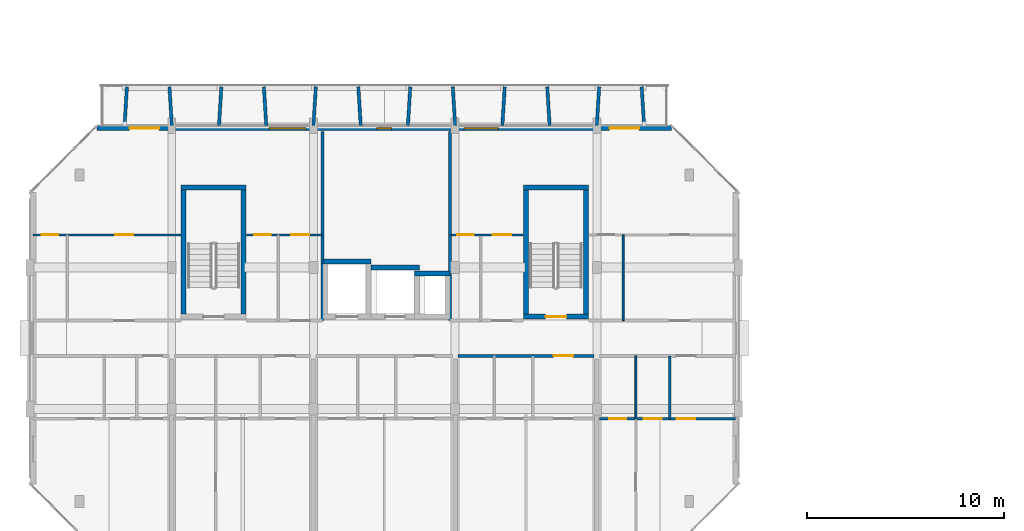
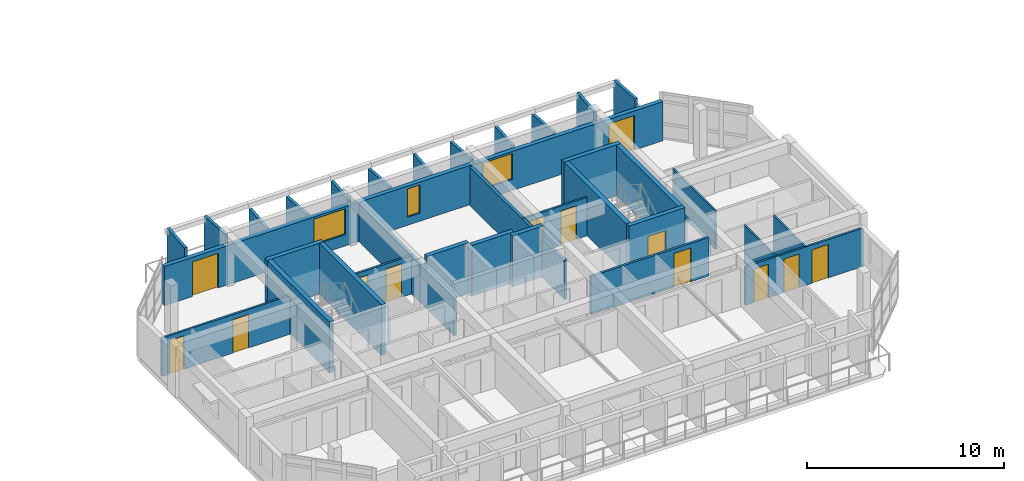
# One storey, part 17 of 44: 33 walls, 13 doors, 3 windows, 16 openings.
"""IFC4 building model written with IfcOpenShell, lengths in metres."""

from ifc_helpers import new_model, si_unit, direction, frame, frame_2d, origin, place, context, subcontext, project, spatial, rectangle, extrude, material, layer, layer_set, type_object, element, fill, save


model = new_model("IFC4")

# Units and contexts
model_context = context("Model", 3, precision=1e-05, world=origin(), true_north=direction((0.0, 1.0)))
body_context = subcontext(model_context, "Body", "Model", "MODEL_VIEW")
ifc_project = project(units=[si_unit("LENGTHUNIT", "METRE"), si_unit("AREAUNIT", "SQUARE_METRE"), si_unit("VOLUMEUNIT", "CUBIC_METRE"), si_unit("PLANEANGLEUNIT", "RADIAN"), si_unit("MASSUNIT", "GRAM", prefix="KILO")], contexts=[model_context])

# Site, building, storey
site_placement = place(None, origin())
site = spatial("IfcSite", under=ifc_project, at=site_placement, CompositionType="ELEMENT")
building_placement = place(site_placement, origin())
building = spatial("IfcBuilding", under=site, at=building_placement, Name="Ochrevale Crest", CompositionType="ELEMENT")
storey_placement = place(building_placement, frame((0.0, 0.0, 21.300048828125)))
storey = spatial("IfcBuildingStorey", under=building, at=storey_placement, Name="L06", CompositionType="ELEMENT", Elevation=21.300048828125)

# Wall, opening, door
ifc_material_1 = material(Name="Gypsum plasterboard", Category="gypsum")
ifc_layer_1 = layer(ifc_material_1, 0.139892578125)
ifc_layer_set_1 = layer_set([ifc_layer_1], Name="Gypsum plasterboard")
wall_type_1 = type_object("IfcWallType", Name="WL-COR-140", PredefinedType="PARTITIONING", material=ifc_layer_set_1)
wall_1_placement = place(storey_placement, frame((21.739990234375, 24.300048828125, 0.0), z_axis=(0.0, 0.0, 1.0), x_axis=(1.0, 0.0, 0.0)))
wall_1 = element("IfcWall", 1, at=wall_1_placement, inside=storey, type_object=wall_type_1, Name="Apartment A-L06-U4 corridor wall", PredefinedType="PARTITIONING", context=body_context, shape_type="SweptSolid", body=[
    extrude(rectangle(XDim=6.919921875, YDim=0.139892578125, at=frame_2d((3.4599609375, 0.0))), origin(), (0.0, 0.0, 1.0), 2.3798828125),
])
opening_1_placement = place(wall_1_placement, frame((5.85009765625, 0.0, 0.0), z_axis=(0.0, 0.0, 1.0), x_axis=(-1.0, 0.0, 0.0)))
opening_1 = element("IfcOpeningElement", 2, at=opening_1_placement, cuts=wall_1, Name="Opening FD01", PredefinedType="OPENING", context=body_context, shape_type="SweptSolid", body=[
    extrude(rectangle(XDim=0.97998046875, YDim=2.10009765625, at=frame_2d((0.489990234375, 1.050048828125))), frame((0.0, 0.080078125, 0.0), z_axis=(0.0, -1.0, 0.0), x_axis=(1.0, 0.0, 0.0)), (0.0, 0.0, 1.0), 0.159912109375),
])
ifc_material_2 = material(Name="Solid-core FSC hardwood", Category="wood")
door_type_1 = type_object("IfcDoorType", Name="DR-APT-950", OperationType="NOTDEFINED", PredefinedType="DOOR", material=ifc_material_2)
door_1_placement = place(opening_1_placement, origin())
door_1 = element("IfcDoor", 3, at=door_1_placement, inside=storey, type_object=door_type_1, Name="Apartment A-L06-U4 entrance door", OperationType="SINGLE_SWING_RIGHT", OverallHeight=2.10009765625, OverallWidth=0.97998046875, PredefinedType="DOOR", context=body_context, shape_type="SweptSolid", body=[
    extrude(rectangle(XDim=0.97998046875, YDim=2.10009765625, at=frame_2d((0.489990234375, 1.050048828125))), frame((0.0, 0.02490234375, 0.0), z_axis=(0.0, -1.0, 0.0), x_axis=(1.0, 0.0, 0.0)), (0.0, 0.0, 1.0), 0.050048828125),
])
fill(opening_1, door_1)

# Walls
ifc_material_3 = material(Name="Precast concrete C50/60", Category="concrete")
ifc_layer_2 = layer(ifc_material_3, 0.2548828125)
ifc_layer_set_2 = layer_set([ifc_layer_2], Name="Precast concrete C50/60")
wall_type_2 = type_object("IfcWallType", Name="WL-CORE-255", PredefinedType="SHEAR", material=ifc_layer_set_2)
wall_2_placement = place(storey_placement, frame((7.672607421875, 32.85009765625, 0.0), z_axis=(0.0, 0.0, 1.0), x_axis=(1.0, 0.0, 0.0)))
element("IfcWall", 4, at=wall_2_placement, inside=storey, type_object=wall_type_2, Name="Block A L06 Stair 1 precast core shear wall N", PredefinedType="SHEAR", context=body_context, shape_type="SweptSolid", body=[
    extrude(rectangle(XDim=3.304931640625, YDim=0.2548828125, at=frame_2d((1.65234375, 0.0))), origin(), (0.0, 0.0, 1.0), 3.14990234375),
])
for number, where, z_axis, x_axis, name in (
    (5, (7.800048828125, 26.427490234375, 0.0), (0.0, 0.0, 1.0), (0.0, 1.0, 0.0), "Block A L06 Stair 1 precast core shear wall W"),
    (6, (10.85009765625, 26.427490234375, 0.0), (0.0, 0.0, 1.0), (0.0, 1.0, 0.0), "Block A L06 Stair 1 precast core shear wall E"),
):
    element("IfcWall", number, at=place(storey_placement, frame(where, z_axis=z_axis, x_axis=x_axis)), inside=storey, type_object=wall_type_2, Name=name, PredefinedType="SHEAR", context=body_context, shape_type="SweptSolid", body=[
        extrude(rectangle(XDim=6.294921875, YDim=0.2548828125, at=frame_2d((3.1474609375, 0.0))), origin(), (0.0, 0.0, 1.0), 3.14990234375),
    ])

# Wall, opening, door
wall_3_placement = place(storey_placement, frame((25.072509765625, 26.300048828125, 0.0), z_axis=(0.0, 0.0, 1.0), x_axis=(1.0, 0.0, 0.0)))
wall_3 = element("IfcWall", 7, at=wall_3_placement, inside=storey, type_object=wall_type_2, Name="Block A L06 Stair 2 precast core shear wall S", PredefinedType="SHEAR", context=body_context, shape_type="SweptSolid", body=[
    extrude(rectangle(XDim=3.304931640625, YDim=0.2548828125, at=frame_2d((1.65234375, 0.0))), origin(), (0.0, 0.0, 1.0), 3.14990234375),
])
opening_2_placement = place(wall_3_placement, frame((1.12744140625, 0.0, 0.0)))
opening_2 = element("IfcOpeningElement", 8, at=opening_2_placement, cuts=wall_3, Name="Opening FD03", PredefinedType="OPENING", context=body_context, shape_type="SweptSolid", body=[
    extrude(rectangle(XDim=1.050048828125, YDim=2.1201171875, at=frame_2d((0.52490234375, 1.06005859375))), frame((0.0, 0.137451171875, 0.0), z_axis=(0.0, -1.0, 0.0), x_axis=(1.0, 0.0, 0.0)), (0.0, 0.0, 1.0), 0.27490234375),
])
door_type_2 = type_object("IfcDoorType", Name="DR-ST-1050", OperationType="NOTDEFINED", PredefinedType="DOOR", material=ifc_material_2)
door_2_placement = place(opening_2_placement, origin())
door_2 = element("IfcDoor", 9, at=door_2_placement, inside=storey, type_object=door_type_2, Name="Block A L06 fire stair 2 door", OperationType="SINGLE_SWING_LEFT", OverallHeight=2.1201171875, OverallWidth=1.050048828125, PredefinedType="DOOR", context=body_context, shape_type="SweptSolid", body=[
    extrude(rectangle(XDim=1.050048828125, YDim=2.1201171875, at=frame_2d((0.52490234375, 1.06005859375))), frame((0.0, 0.02490234375, 0.0), z_axis=(0.0, -1.0, 0.0), x_axis=(1.0, 0.0, 0.0)), (0.0, 0.0, 1.0), 0.050048828125),
])
fill(opening_2, door_2)

# Walls
wall_4_placement = place(storey_placement, frame((25.072509765625, 32.85009765625, 0.0), z_axis=(0.0, 0.0, 1.0), x_axis=(1.0, 0.0, 0.0)))
element("IfcWall", 10, at=wall_4_placement, inside=storey, type_object=wall_type_2, Name="Block A L06 Stair 2 precast core shear wall N", PredefinedType="SHEAR", context=body_context, shape_type="SweptSolid", body=[
    extrude(rectangle(XDim=3.304931640625, YDim=0.2548828125, at=frame_2d((1.65234375, 0.0))), origin(), (0.0, 0.0, 1.0), 3.14990234375),
])
for number, where, z_axis, x_axis, name in (
    (11, (25.199951171875, 26.427490234375, 0.0), (0.0, 0.0, 1.0), (0.0, 1.0, 0.0), "Block A L06 Stair 2 precast core shear wall W"),
    (12, (28.25, 26.427490234375, 0.0), (0.0, 0.0, 1.0), (0.0, 1.0, 0.0), "Block A L06 Stair 2 precast core shear wall E"),
):
    element("IfcWall", number, at=place(storey_placement, frame(where, z_axis=z_axis, x_axis=x_axis)), inside=storey, type_object=wall_type_2, Name=name, PredefinedType="SHEAR", context=body_context, shape_type="SweptSolid", body=[
        extrude(rectangle(XDim=6.294921875, YDim=0.2548828125, at=frame_2d((3.1474609375, 0.0))), origin(), (0.0, 0.0, 1.0), 3.14990234375),
    ])
wall_5_placement = place(storey_placement, frame((14.87255859375, 29.10009765625, 0.0), z_axis=(0.0, 0.0, 1.0), x_axis=(1.0, 0.0, 0.0)))
element("IfcWall", 13, at=wall_5_placement, inside=storey, type_object=wall_type_2, Name="Block A L06 Lift 1 precast shaft shear wall N", PredefinedType="SHEAR", context=body_context, shape_type="SweptSolid", body=[
    extrude(rectangle(XDim=2.454833984375, YDim=0.2548828125, at=frame_2d((1.2275390625, 0.0))), origin(), (0.0, 0.0, 1.0), 3.14990234375),
])
wall_6_placement = place(storey_placement, frame((17.322509765625, 28.800048828125, 0.0), z_axis=(0.0, 0.0, 1.0), x_axis=(1.0, 0.0, 0.0)))
element("IfcWall", 14, at=wall_6_placement, inside=storey, type_object=wall_type_2, Name="Block A L06 Lift 2 precast shaft shear wall N", PredefinedType="SHEAR", context=body_context, shape_type="SweptSolid", body=[
    extrude(rectangle(XDim=2.455078125, YDim=0.2548828125, at=frame_2d((1.2275390625, 0.0))), origin(), (0.0, 0.0, 1.0), 3.14990234375),
])
wall_7_placement = place(storey_placement, frame((19.5224609375, 28.5, 0.0), z_axis=(0.0, 0.0, 1.0), x_axis=(1.0, 0.0, 0.0)))
element("IfcWall", 15, at=wall_7_placement, inside=storey, type_object=wall_type_2, Name="Block A L06 services riser shaft core wall N", PredefinedType="SHEAR", context=body_context, shape_type="SweptSolid", body=[
    extrude(rectangle(XDim=1.804931640625, YDim=0.2548828125, at=frame_2d((0.90234375, 0.0))), origin(), (0.0, 0.0, 1.0), 3.14990234375),
])

# Wall, openings, doors, windows
ifc_material_4 = material(Name="Precast concrete C40/50", Category="concrete")
ifc_layer_3 = layer(ifc_material_4, 0.25)
ifc_layer_set_3 = layer_set([ifc_layer_3], Name="Precast concrete C40/50")
wall_type_3 = type_object("IfcWallType", Name="WL-EXT-GOLD-250", PredefinedType="SOLIDWALL", material=ifc_layer_set_3)
wall_8_placement = place(storey_placement, frame((32.60009765625, 35.875, 0.0), z_axis=(0.0, 0.0, 1.0), x_axis=(-1.0, 0.0, 0.0)))
wall_8 = element("IfcWall", 16, at=wall_8_placement, inside=storey, type_object=wall_type_3, Name="Block A L06 external facade wall E5", PredefinedType="SOLIDWALL", context=body_context, shape_type="SweptSolid", body=[
    extrude(rectangle(XDim=29.2001953125, YDim=0.25, at=frame_2d((14.60009765625, 0.0))), origin(), (0.0, 0.0, 1.0), 2.429931640625),
])
opening_3_placement = place(wall_8_placement, frame((27.550048828125, 0.0, 0.0), z_axis=(0.0, 0.0, 1.0), x_axis=(-1.0, 0.0, 0.0)))
opening_3 = element("IfcOpeningElement", 17, at=opening_3_placement, cuts=wall_8, Name="Opening BD01", PredefinedType="OPENING", context=body_context, shape_type="SweptSolid", body=[
    extrude(rectangle(XDim=1.5, YDim=2.14990234375, at=frame_2d((0.75, 1.074951171875))), frame((0.0, 0.135009765625, 0.0), z_axis=(0.0, -1.0, 0.0), x_axis=(1.0, 0.0, 0.0)), (0.0, 0.0, 1.0), 0.27001953125),
])
opening_4_placement = place(wall_8_placement, frame((3.14990234375, 0.0, 0.0), z_axis=(0.0, 0.0, 1.0), x_axis=(-1.0, 0.0, 0.0)))
opening_4 = element("IfcOpeningElement", 18, at=opening_4_placement, cuts=wall_8, Name="Opening BD01", PredefinedType="OPENING", context=body_context, shape_type="SweptSolid", body=[
    extrude(rectangle(XDim=1.5, YDim=2.14990234375, at=frame_2d((0.75, 1.074951171875))), frame((0.0, 0.135009765625, 0.0), z_axis=(0.0, -1.0, 0.0), x_axis=(1.0, 0.0, 0.0)), (0.0, 0.0, 1.0), 0.27001953125),
])
opening_5_placement = place(wall_8_placement, frame((14.22509765625, 0.0, 0.5)))
opening_5 = element("IfcOpeningElement", 19, at=opening_5_placement, cuts=wall_8, Name="Opening W16", PredefinedType="OPENING", context=body_context, shape_type="SweptSolid", body=[
    extrude(rectangle(XDim=0.75, YDim=1.75, at=frame_2d((0.375, 0.875))), frame((0.0, 0.135009765625, 0.0), z_axis=(0.0, -1.0, 0.0), x_axis=(1.0, 0.0, 0.0)), (0.0, 0.0, 1.0), 0.27001953125),
])
opening_6_placement = place(wall_8_placement, frame((8.820068359375, 0.0, 0.699951171875)))
opening_6 = element("IfcOpeningElement", 20, at=opening_6_placement, cuts=wall_8, Name="Opening W10", PredefinedType="OPENING", context=body_context, shape_type="SweptSolid", body=[
    extrude(rectangle(XDim=1.719970703125, YDim=1.60009765625, at=frame_2d((0.85986328125, 0.800048828125))), frame((0.0, 0.135009765625, 0.0), z_axis=(0.0, -1.0, 0.0), x_axis=(1.0, 0.0, 0.0)), (0.0, 0.0, 1.0), 0.27001953125),
])
opening_7_placement = place(wall_8_placement, frame((18.590087890625, 0.0, 0.699951171875)))
opening_7 = element("IfcOpeningElement", 21, at=opening_7_placement, cuts=wall_8, Name="Opening W11", PredefinedType="OPENING", context=body_context, shape_type="SweptSolid", body=[
    extrude(rectangle(XDim=1.860107421875, YDim=1.60009765625, at=frame_2d((0.93017578125, 0.800048828125))), frame((0.0, 0.135009765625, 0.0), z_axis=(0.0, -1.0, 0.0), x_axis=(1.0, 0.0, 0.0)), (0.0, 0.0, 1.0), 0.27001953125),
])
ifc_material_5 = material(Name="Anodised aluminium 6063-T5 and toughened glass", Category="aluminium")
door_type_3 = type_object("IfcDoorType", Name="DR-BAL-1500", OperationType="NOTDEFINED", PredefinedType="DOOR", material=ifc_material_5)
door_3_placement = place(opening_3_placement, origin())
door_3 = element("IfcDoor", 22, at=door_3_placement, inside=storey, type_object=door_type_3, Name="Block A L06 balcony door N1", OperationType="SINGLE_SWING_LEFT", OverallHeight=2.14990234375, OverallWidth=1.5, PredefinedType="DOOR", context=body_context, shape_type="SweptSolid", body=[
    extrude(rectangle(XDim=1.5, YDim=2.14990234375, at=frame_2d((0.75, 1.074951171875))), frame((0.0, 0.02490234375, 0.0), z_axis=(0.0, -1.0, 0.0), x_axis=(1.0, 0.0, 0.0)), (0.0, 0.0, 1.0), 0.050048828125),
])
fill(opening_3, door_3)
door_4_placement = place(opening_4_placement, origin())
door_4 = element("IfcDoor", 23, at=door_4_placement, inside=storey, type_object=door_type_3, Name="Block A L06 balcony door N5", OperationType="SINGLE_SWING_RIGHT", OverallHeight=2.14990234375, OverallWidth=1.5, PredefinedType="DOOR", context=body_context, shape_type="SweptSolid", body=[
    extrude(rectangle(XDim=1.5, YDim=2.14990234375, at=frame_2d((0.75, 1.074951171875))), frame((0.0, 0.02490234375, 0.0), z_axis=(0.0, -1.0, 0.0), x_axis=(1.0, 0.0, 0.0)), (0.0, 0.0, 1.0), 0.050048828125),
])
fill(opening_4, door_4)
ifc_material_6 = material(Name="Anodised aluminium 6063-T5 and low-E double glazing", Category="aluminium")
window_type_1 = type_object("IfcWindowType", Name="WIN-W10", PartitioningType="SINGLE_PANEL", PredefinedType="WINDOW", material=ifc_material_6)
window_1_placement = place(opening_6_placement, origin())
window_1 = element("IfcWindow", 24, at=window_1_placement, inside=storey, type_object=window_type_1, Name="Block A L06 Suite A-L06-ME Garden Alcove Studio window", OverallHeight=1.60009765625, OverallWidth=1.719970703125, PartitioningType="SINGLE_PANEL", PredefinedType="WINDOW", context=body_context, shape_type="SweptSolid", body=[
    extrude(rectangle(XDim=1.719970703125, YDim=1.60009765625, at=frame_2d((0.85986328125, 0.800048828125))), frame((0.0, 0.030029296875, 0.0), z_axis=(0.0, -1.0, 0.0), x_axis=(1.0, 0.0, 0.0)), (0.0, 0.0, 1.0), 0.06005859375),
])
fill(opening_6, window_1)
window_type_2 = type_object("IfcWindowType", Name="WIN-W11", PartitioningType="SINGLE_PANEL", PredefinedType="WINDOW", material=ifc_material_6)
window_2_placement = place(opening_7_placement, origin())
window_2 = element("IfcWindow", 25, at=window_2_placement, inside=storey, type_object=window_type_2, Name="Block A L06 Suite A-L06-MW Courtyard Studio Living window", OverallHeight=1.60009765625, OverallWidth=1.860107421875, PartitioningType="SINGLE_PANEL", PredefinedType="WINDOW", context=body_context, shape_type="SweptSolid", body=[
    extrude(rectangle(XDim=1.860107421875, YDim=1.60009765625, at=frame_2d((0.93017578125, 0.800048828125))), frame((0.0, 0.030029296875, 0.0), z_axis=(0.0, -1.0, 0.0), x_axis=(1.0, 0.0, 0.0)), (0.0, 0.0, 1.0), 0.06005859375),
])
fill(opening_7, window_2)
window_type_3 = type_object("IfcWindowType", Name="WIN-W16", PartitioningType="SINGLE_PANEL", PredefinedType="WINDOW", material=ifc_material_6)
window_3_placement = place(opening_5_placement, origin())
window_3 = element("IfcWindow", 26, at=window_3_placement, inside=storey, type_object=window_type_3, Name="Block A L06 core lancet window", OverallHeight=1.75, OverallWidth=0.75, PartitioningType="SINGLE_PANEL", PredefinedType="WINDOW", context=body_context, shape_type="SweptSolid", body=[
    extrude(rectangle(XDim=0.75, YDim=1.75, at=frame_2d((0.375, 0.875))), frame((0.0, 0.030029296875, 0.0), z_axis=(0.0, -1.0, 0.0), x_axis=(1.0, 0.0, 0.0)), (0.0, 0.0, 1.0), 0.06005859375),
])
fill(opening_5, window_3)

# Walls
ifc_layer_4 = layer(ifc_material_4, 0.1650390625)
ifc_layer_set_4 = layer_set([ifc_layer_4], Name="Precast concrete C40/50")
wall_type_4 = type_object("IfcWallType", Name="WL-HC-CHEEK-165", PredefinedType="ELEMENTEDWALL", material=ifc_layer_set_4)
for number, where, z_axis, x_axis, name in (
    (27, (4.800048828125, 36.02001953125, 0.0), (0.0, 0.0, 1.0), (0.061046865508, 0.998134900808, 0.0), "Block A L06 N precast honeycomb cheek 1"),
    (28, (7.199951171875, 36.02001953125, 0.0), (0.0, 0.0, 1.0), (-0.061046865508, 0.998134900808, 0.0), "Block A L06 N precast honeycomb cheek 2"),
):
    element("IfcWall", number, at=place(storey_placement, frame(where, z_axis=z_axis, x_axis=x_axis)), inside=storey, type_object=wall_type_4, Name=name, PredefinedType="ELEMENTEDWALL", context=body_context, shape_type="SweptSolid", body=[
        extrude(rectangle(XDim=1.963623046875, YDim=0.1650390625, at=frame_2d((0.98193359375, 0.0))), origin(), (0.0, 0.0, 1.0), 2.949951171875),
    ])
for number, where, z_axis, x_axis, name in (
    (29, (9.60009765625, 36.02001953125, 0.0), (0.0, 0.0, 1.0), (0.061046865508, 0.998134900808, 0.0), "Block A L06 N precast honeycomb cheek 3"),
    (30, (12.0, 36.02001953125, 0.0), (0.0, 0.0, 1.0), (-0.061170732449, 0.998127317276, 0.0), "Block A L06 N precast honeycomb cheek 4"),
):
    element("IfcWall", number, at=place(storey_placement, frame(where, z_axis=z_axis, x_axis=x_axis)), inside=storey, type_object=wall_type_4, Name=name, PredefinedType="ELEMENTEDWALL", context=body_context, shape_type="SweptSolid", body=[
        extrude(rectangle(XDim=1.963623046875, YDim=0.1650390625, at=frame_2d((0.98193359375, 0.0))), origin(), (0.0, 0.0, 1.0), 2.47998046875),
    ])
for number, where, z_axis, x_axis, name in (
    (31, (14.39990234375, 36.02001953125, 0.0), (0.0, 0.0, 1.0), (0.061170732449, 0.998127317276, 0.0), "Block A L06 N precast honeycomb cheek 5"),
    (32, (16.800048828125, 36.02001953125, 0.0), (0.0, 0.0, 1.0), (-0.061170732449, 0.998127317276, 0.0), "Block A L06 N precast honeycomb cheek 6"),
    (33, (19.199951171875, 36.02001953125, 0.0), (0.0, 0.0, 1.0), (0.061170732449, 0.998127317276, 0.0), "Block A L06 N precast honeycomb cheek 7"),
    (34, (21.60009765625, 36.02001953125, 0.0), (0.0, 0.0, 1.0), (-0.061170732449, 0.998127317276, 0.0), "Block A L06 N precast honeycomb cheek 8"),
):
    element("IfcWall", number, at=place(storey_placement, frame(where, z_axis=z_axis, x_axis=x_axis)), inside=storey, type_object=wall_type_4, Name=name, PredefinedType="ELEMENTEDWALL", context=body_context, shape_type="SweptSolid", body=[
        extrude(rectangle(XDim=1.963623046875, YDim=0.1650390625, at=frame_2d((0.98193359375, 0.0))), origin(), (0.0, 0.0, 1.0), 2.530029296875),
    ])
for number, where, z_axis, x_axis, name in (
    (35, (24.0, 36.02001953125, 0.0), (0.0, 0.0, 1.0), (0.061170732449, 0.998127317276, 0.0), "Block A L06 N precast honeycomb cheek 9"),
    (36, (26.39990234375, 36.02001953125, 0.0), (0.0, 0.0, 1.0), (-0.061046865508, 0.998134900808, 0.0), "Block A L06 N precast honeycomb cheek 10"),
):
    element("IfcWall", number, at=place(storey_placement, frame(where, z_axis=z_axis, x_axis=x_axis)), inside=storey, type_object=wall_type_4, Name=name, PredefinedType="ELEMENTEDWALL", context=body_context, shape_type="SweptSolid", body=[
        extrude(rectangle(XDim=1.963623046875, YDim=0.1650390625, at=frame_2d((0.98193359375, 0.0))), origin(), (0.0, 0.0, 1.0), 2.550048828125),
    ])
for number, where, z_axis, x_axis, name in (
    (37, (28.800048828125, 36.02001953125, 0.0), (0.0, 0.0, 1.0), (0.061046865508, 0.998134900808, 0.0), "Block A L06 N precast honeycomb cheek 11"),
    (38, (31.199951171875, 36.02001953125, 0.0), (0.0, 0.0, 1.0), (-0.061046865508, 0.998134900808, 0.0), "Block A L06 N precast honeycomb cheek 12"),
):
    element("IfcWall", number, at=place(storey_placement, frame(where, z_axis=z_axis, x_axis=x_axis)), inside=storey, type_object=wall_type_4, Name=name, PredefinedType="ELEMENTEDWALL", context=body_context, shape_type="SweptSolid", body=[
        extrude(rectangle(XDim=1.963623046875, YDim=0.1650390625, at=frame_2d((0.98193359375, 0.0))), origin(), (0.0, 0.0, 1.0), 2.949951171875),
    ])
ifc_layer_5 = layer(ifc_material_1, 0.1201171875)
ifc_layer_set_5 = layer_set([ifc_layer_5], Name="Gypsum plasterboard")
wall_type_5 = type_object("IfcWallType", Name="WL-PART-120", PredefinedType="PARTITIONING", material=ifc_layer_set_5)
wall_9_placement = place(storey_placement, frame((32.5, 21.10009765625, 0.0), z_axis=(0.0, 0.0, 1.0), x_axis=(0.0, 1.0, 0.0)))
element("IfcWall", 39, at=wall_9_placement, inside=storey, type_object=wall_type_5, Name="Apartment A-L06-U5 kitchen-foyer wall", PredefinedType="PARTITIONING", context=body_context, shape_type="SweptSolid", body=[
    extrude(rectangle(XDim=3.199951171875, YDim=0.1201171875, at=frame_2d((1.60009765625, 0.0))), origin(), (0.0, 0.0, 1.0), 2.3798828125),
])

# Wall, openings, doors
wall_10_placement = place(storey_placement, frame((28.93994140625, 21.10009765625, 0.0), z_axis=(0.0, 0.0, 1.0), x_axis=(1.0, 0.0, 0.0)))
wall_10 = element("IfcWall", 40, at=wall_10_placement, inside=storey, type_object=wall_type_5, Name="Apartment A-L06-U5 central partition", PredefinedType="PARTITIONING", context=body_context, shape_type="SweptSolid", body=[
    extrude(rectangle(XDim=6.920166015625, YDim=0.1201171875, at=frame_2d((3.4599609375, 0.0))), origin(), (0.0, 0.0, 1.0), 2.3798828125),
])
opening_8_placement = place(wall_10_placement, frame((0.5, 0.0, 0.0)))
opening_8 = element("IfcOpeningElement", 41, at=opening_8_placement, cuts=wall_10, Name="Opening ID01", PredefinedType="OPENING", context=body_context, shape_type="SweptSolid", body=[
    extrude(rectangle(XDim=0.85009765625, YDim=2.080078125, at=frame_2d((0.425048828125, 1.0400390625))), frame((0.0, 0.070068359375, 0.0), z_axis=(0.0, -1.0, 0.0), x_axis=(1.0, 0.0, 0.0)), (0.0, 0.0, 1.0), 0.14013671875),
])
opening_9_placement = place(wall_10_placement, frame((3.15478515625, 0.0, 0.0), z_axis=(0.0, 0.0, 1.0), x_axis=(-1.0, 0.0, 0.0)))
opening_9 = element("IfcOpeningElement", 42, at=opening_9_placement, cuts=wall_10, Name="Opening ID02", PredefinedType="OPENING", context=body_context, shape_type="SweptSolid", body=[
    extrude(rectangle(XDim=0.89990234375, YDim=2.080078125, at=frame_2d((0.449951171875, 1.0400390625))), frame((0.0, 0.070068359375, 0.0), z_axis=(0.0, -1.0, 0.0), x_axis=(1.0, 0.0, 0.0)), (0.0, 0.0, 1.0), 0.14013671875),
])
opening_10_placement = place(wall_10_placement, frame((3.909912109375, 0.0, 0.0)))
opening_10 = element("IfcOpeningElement", 43, at=opening_10_placement, cuts=wall_10, Name="Opening ID06", PredefinedType="OPENING", context=body_context, shape_type="SweptSolid", body=[
    extrude(rectangle(XDim=0.949951171875, YDim=2.080078125, at=frame_2d((0.47509765625, 1.0400390625))), frame((0.0, 0.070068359375, 0.0), z_axis=(0.0, -1.0, 0.0), x_axis=(1.0, 0.0, 0.0)), (0.0, 0.0, 1.0), 0.14013671875),
])
door_type_4 = type_object("IfcDoorType", Name="DR-INT-900", OperationType="NOTDEFINED", PredefinedType="DOOR", material=ifc_material_2)
door_5_placement = place(opening_9_placement, origin())
door_5 = element("IfcDoor", 44, at=door_5_placement, inside=storey, type_object=door_type_4, Name="Apartment A-L06-U5 Kitchen door", OperationType="SINGLE_SWING_RIGHT", OverallHeight=2.080078125, OverallWidth=0.89990234375, PredefinedType="DOOR", context=body_context, shape_type="SweptSolid", body=[
    extrude(rectangle(XDim=0.89990234375, YDim=2.080078125, at=frame_2d((0.449951171875, 1.0400390625))), frame((0.0, 0.02490234375, 0.0), z_axis=(0.0, -1.0, 0.0), x_axis=(1.0, 0.0, 0.0)), (0.0, 0.0, 1.0), 0.050048828125),
])
fill(opening_9, door_5)
door_type_5 = type_object("IfcDoorType", Name="DR-INT-950", OperationType="NOTDEFINED", PredefinedType="DOOR", material=ifc_material_2)
door_6_placement = place(opening_10_placement, origin())
door_6 = element("IfcDoor", 45, at=door_6_placement, inside=storey, type_object=door_type_5, Name="Apartment A-L06-U5 Living Foyer door", OperationType="SINGLE_SWING_LEFT", OverallHeight=2.080078125, OverallWidth=0.949951171875, PredefinedType="DOOR", context=body_context, shape_type="SweptSolid", body=[
    extrude(rectangle(XDim=0.949951171875, YDim=2.080078125, at=frame_2d((0.47509765625, 1.0400390625))), frame((0.0, 0.02490234375, 0.0), z_axis=(0.0, -1.0, 0.0), x_axis=(1.0, 0.0, 0.0)), (0.0, 0.0, 1.0), 0.050048828125),
])
fill(opening_10, door_6)
door_type_6 = type_object("IfcDoorType", Name="DR-WC-850", OperationType="NOTDEFINED", PredefinedType="DOOR", material=ifc_material_2)
door_7_placement = place(opening_8_placement, origin())
door_7 = element("IfcDoor", 46, at=door_7_placement, inside=storey, type_object=door_type_6, Name="Apartment A-L06-U5 Bathroom door", OperationType="SINGLE_SWING_LEFT", OverallHeight=2.080078125, OverallWidth=0.85009765625, PredefinedType="DOOR", context=body_context, shape_type="SweptSolid", body=[
    extrude(rectangle(XDim=0.85009765625, YDim=2.080078125, at=frame_2d((0.425048828125, 1.0400390625))), frame((0.0, 0.02490234375, 0.0), z_axis=(0.0, -1.0, 0.0), x_axis=(1.0, 0.0, 0.0)), (0.0, 0.0, 1.0), 0.050048828125),
])
fill(opening_8, door_7)

wall_11_placement = place(storey_placement, frame((0.139892578125, 30.449951171875, 0.0), z_axis=(0.0, 0.0, 1.0), x_axis=(1.0, 0.0, 0.0)))
wall_11 = element("IfcWall", 47, at=wall_11_placement, inside=storey, type_object=wall_type_5, Name="Suite A-L06-CW internal wall", PredefinedType="PARTITIONING", context=body_context, shape_type="SweptSolid", body=[
    extrude(rectangle(XDim=7.52001953125, YDim=0.1201171875, at=frame_2d((3.760009765625, 0.0))), origin(), (0.0, 0.0, 1.0), 2.3798828125),
])
opening_11_placement = place(wall_11_placement, frame((1.300048828125, 0.0, 0.0), z_axis=(0.0, 0.0, 1.0), x_axis=(-1.0, 0.0, 0.0)))
opening_11 = element("IfcOpeningElement", 48, at=opening_11_placement, cuts=wall_11, Name="Opening ID01", PredefinedType="OPENING", context=body_context, shape_type="SweptSolid", body=[
    extrude(rectangle(XDim=0.85009765625, YDim=2.080078125, at=frame_2d((0.425048828125, 1.0400390625))), frame((0.0, 0.070068359375, 0.0), z_axis=(0.0, -1.0, 0.0), x_axis=(1.0, 0.0, 0.0)), (0.0, 0.0, 1.0), 0.14013671875),
])
opening_12_placement = place(wall_11_placement, frame((4.175048828125, 0.0, 0.0)))
opening_12 = element("IfcOpeningElement", 49, at=opening_12_placement, cuts=wall_11, Name="Opening ID04", PredefinedType="OPENING", context=body_context, shape_type="SweptSolid", body=[
    extrude(rectangle(XDim=0.919921875, YDim=2.080078125, at=frame_2d((0.4599609375, 1.0400390625))), frame((0.0, 0.070068359375, 0.0), z_axis=(0.0, -1.0, 0.0), x_axis=(1.0, 0.0, 0.0)), (0.0, 0.0, 1.0), 0.14013671875),
])
door_type_7 = type_object("IfcDoorType", Name="DR-INT-920", OperationType="NOTDEFINED", PredefinedType="DOOR", material=ifc_material_2)
door_8_placement = place(opening_12_placement, origin())
door_8 = element("IfcDoor", 50, at=door_8_placement, inside=storey, type_object=door_type_7, Name="Suite A-L06-CW Garden Alcove Studio door", OperationType="SINGLE_SWING_LEFT", OverallHeight=2.080078125, OverallWidth=0.919921875, PredefinedType="DOOR", context=body_context, shape_type="SweptSolid", body=[
    extrude(rectangle(XDim=0.919921875, YDim=2.080078125, at=frame_2d((0.4599609375, 1.0400390625))), frame((0.0, 0.02490234375, 0.0), z_axis=(0.0, -1.0, 0.0), x_axis=(1.0, 0.0, 0.0)), (0.0, 0.0, 1.0), 0.050048828125),
])
fill(opening_12, door_8)
door_9_placement = place(opening_11_placement, origin())
door_9 = element("IfcDoor", 51, at=door_9_placement, inside=storey, type_object=door_type_6, Name="Suite A-L06-CW Bathroom door", OperationType="SINGLE_SWING_RIGHT", OverallHeight=2.080078125, OverallWidth=0.85009765625, PredefinedType="DOOR", context=body_context, shape_type="SweptSolid", body=[
    extrude(rectangle(XDim=0.85009765625, YDim=2.080078125, at=frame_2d((0.425048828125, 1.0400390625))), frame((0.0, 0.02490234375, 0.0), z_axis=(0.0, -1.0, 0.0), x_axis=(1.0, 0.0, 0.0)), (0.0, 0.0, 1.0), 0.050048828125),
])
fill(opening_11, door_9)

wall_12_placement = place(storey_placement, frame((10.989990234375, 30.449951171875, 0.0), z_axis=(0.0, 0.0, 1.0), x_axis=(1.0, 0.0, 0.0)))
wall_12 = element("IfcWall", 52, at=wall_12_placement, inside=storey, type_object=wall_type_5, Name="Suite A-L06-MW internal wall", PredefinedType="PARTITIONING", context=body_context, shape_type="SweptSolid", body=[
    extrude(rectangle(XDim=3.8701171875, YDim=0.1201171875, at=frame_2d((1.93505859375, 0.0))), origin(), (0.0, 0.0, 1.0), 2.3798828125),
])
opening_13_placement = place(wall_12_placement, frame((0.3876953125, 0.0, 0.0)))
opening_13 = element("IfcOpeningElement", 53, at=opening_13_placement, cuts=wall_12, Name="Opening ID01", PredefinedType="OPENING", context=body_context, shape_type="SweptSolid", body=[
    extrude(rectangle(XDim=0.85009765625, YDim=2.080078125, at=frame_2d((0.425048828125, 1.0400390625))), frame((0.0, 0.070068359375, 0.0), z_axis=(0.0, -1.0, 0.0), x_axis=(1.0, 0.0, 0.0)), (0.0, 0.0, 1.0), 0.14013671875),
])
opening_14_placement = place(wall_12_placement, frame((3.20751953125, 0.0, 0.0), z_axis=(0.0, 0.0, 1.0), x_axis=(-1.0, 0.0, 0.0)))
opening_14 = element("IfcOpeningElement", 54, at=opening_14_placement, cuts=wall_12, Name="Opening ID04", PredefinedType="OPENING", context=body_context, shape_type="SweptSolid", body=[
    extrude(rectangle(XDim=0.919921875, YDim=2.080078125, at=frame_2d((0.4599609375, 1.0400390625))), frame((0.0, 0.070068359375, 0.0), z_axis=(0.0, -1.0, 0.0), x_axis=(1.0, 0.0, 0.0)), (0.0, 0.0, 1.0), 0.14013671875),
])
door_10_placement = place(opening_14_placement, origin())
door_10 = element("IfcDoor", 55, at=door_10_placement, inside=storey, type_object=door_type_7, Name="Suite A-L06-MW Courtyard Studio Living door", OperationType="SINGLE_SWING_RIGHT", OverallHeight=2.080078125, OverallWidth=0.919921875, PredefinedType="DOOR", context=body_context, shape_type="SweptSolid", body=[
    extrude(rectangle(XDim=0.919921875, YDim=2.080078125, at=frame_2d((0.4599609375, 1.0400390625))), frame((0.0, 0.02490234375, 0.0), z_axis=(0.0, -1.0, 0.0), x_axis=(1.0, 0.0, 0.0)), (0.0, 0.0, 1.0), 0.050048828125),
])
fill(opening_14, door_10)
door_11_placement = place(opening_13_placement, origin())
door_11 = element("IfcDoor", 56, at=door_11_placement, inside=storey, type_object=door_type_6, Name="Suite A-L06-MW Bathroom door", OperationType="SINGLE_SWING_LEFT", OverallHeight=2.080078125, OverallWidth=0.85009765625, PredefinedType="DOOR", context=body_context, shape_type="SweptSolid", body=[
    extrude(rectangle(XDim=0.85009765625, YDim=2.080078125, at=frame_2d((0.425048828125, 1.0400390625))), frame((0.0, 0.02490234375, 0.0), z_axis=(0.0, -1.0, 0.0), x_axis=(1.0, 0.0, 0.0)), (0.0, 0.0, 1.0), 0.050048828125),
])
fill(opening_13, door_11)

wall_13_placement = place(storey_placement, frame((21.340087890625, 30.449951171875, 0.0), z_axis=(0.0, 0.0, 1.0), x_axis=(1.0, 0.0, 0.0)))
wall_13 = element("IfcWall", 57, at=wall_13_placement, inside=storey, type_object=wall_type_5, Name="Suite A-L06-ME internal wall", PredefinedType="PARTITIONING", context=body_context, shape_type="SweptSolid", body=[
    extrude(rectangle(XDim=3.719970703125, YDim=0.1201171875, at=frame_2d((1.85986328125, 0.0))), origin(), (0.0, 0.0, 1.0), 2.3798828125),
])
opening_15_placement = place(wall_13_placement, frame((1.206298828125, 0.0, 0.0), z_axis=(0.0, 0.0, 1.0), x_axis=(-1.0, 0.0, 0.0)))
opening_15 = element("IfcOpeningElement", 58, at=opening_15_placement, cuts=wall_13, Name="Opening ID01", PredefinedType="OPENING", context=body_context, shape_type="SweptSolid", body=[
    extrude(rectangle(XDim=0.85009765625, YDim=2.080078125, at=frame_2d((0.425048828125, 1.0400390625))), frame((0.0, 0.070068359375, 0.0), z_axis=(0.0, -1.0, 0.0), x_axis=(1.0, 0.0, 0.0)), (0.0, 0.0, 1.0), 0.14013671875),
])
opening_16_placement = place(wall_13_placement, frame((2.18115234375, 0.0, 0.0)))
opening_16 = element("IfcOpeningElement", 59, at=opening_16_placement, cuts=wall_13, Name="Opening ID04", PredefinedType="OPENING", context=body_context, shape_type="SweptSolid", body=[
    extrude(rectangle(XDim=0.919921875, YDim=2.080078125, at=frame_2d((0.4599609375, 1.0400390625))), frame((0.0, 0.070068359375, 0.0), z_axis=(0.0, -1.0, 0.0), x_axis=(1.0, 0.0, 0.0)), (0.0, 0.0, 1.0), 0.14013671875),
])
door_12_placement = place(opening_16_placement, origin())
door_12 = element("IfcDoor", 60, at=door_12_placement, inside=storey, type_object=door_type_7, Name="Suite A-L06-ME Garden Alcove Studio door", OperationType="SINGLE_SWING_LEFT", OverallHeight=2.080078125, OverallWidth=0.919921875, PredefinedType="DOOR", context=body_context, shape_type="SweptSolid", body=[
    extrude(rectangle(XDim=0.919921875, YDim=2.080078125, at=frame_2d((0.4599609375, 1.0400390625))), frame((0.0, 0.02490234375, 0.0), z_axis=(0.0, -1.0, 0.0), x_axis=(1.0, 0.0, 0.0)), (0.0, 0.0, 1.0), 0.050048828125),
])
fill(opening_16, door_12)
door_13_placement = place(opening_15_placement, origin())
door_13 = element("IfcDoor", 61, at=door_13_placement, inside=storey, type_object=door_type_6, Name="Suite A-L06-ME Bathroom door", OperationType="SINGLE_SWING_RIGHT", OverallHeight=2.080078125, OverallWidth=0.85009765625, PredefinedType="DOOR", context=body_context, shape_type="SweptSolid", body=[
    extrude(rectangle(XDim=0.85009765625, YDim=2.080078125, at=frame_2d((0.425048828125, 1.0400390625))), frame((0.0, 0.02490234375, 0.0), z_axis=(0.0, -1.0, 0.0), x_axis=(1.0, 0.0, 0.0)), (0.0, 0.0, 1.0), 0.050048828125),
])
fill(opening_15, door_13)

# Walls
ifc_layer_6 = layer(ifc_material_1, 0.169921875)
ifc_layer_set_6 = layer_set([ifc_layer_6], Name="Gypsum plasterboard")
wall_type_6 = type_object("IfcWallType", Name="WL-TEN-170", PredefinedType="PARTITIONING", material=ifc_layer_set_6)
for number, where, z_axis, x_axis, name in (
    (62, (14.860107421875, 26.10009765625, 0.0), (0.0, 0.0, 1.0), (0.0, 1.0, 0.0), "Suite A-L06-MW east party wall"),
    (63, (21.340087890625, 26.10009765625, 0.0), (0.0, 0.0, 1.0), (0.0, 1.0, 0.0), "Suite A-L06-ME west party wall"),
):
    element("IfcWall", number, at=place(storey_placement, frame(where, z_axis=z_axis, x_axis=x_axis)), inside=storey, type_object=wall_type_6, Name=name, PredefinedType="PARTITIONING", context=body_context, shape_type="SweptSolid", body=[
        extrude(rectangle(XDim=9.599853515625, YDim=0.169921875, at=frame_2d((4.7998046875, 0.0))), origin(), (0.0, 0.0, 1.0), 2.3798828125),
    ])
ifc_layer_7 = layer(ifc_material_1, 0.10009765625)
ifc_layer_set_7 = layer_set([ifc_layer_7], Name="Gypsum plasterboard")
wall_type_7 = type_object("IfcWallType", Name="WL-WET-100", PredefinedType="PARTITIONING", material=ifc_layer_set_7)
wall_14_placement = place(storey_placement, frame((30.7900390625, 21.10009765625, 0.0), z_axis=(0.0, 0.0, 1.0), x_axis=(0.0, 1.0, 0.0)))
element("IfcWall", 64, at=wall_14_placement, inside=storey, type_object=wall_type_7, Name="Apartment A-L06-U5 bath-kitchen wall", PredefinedType="PARTITIONING", context=body_context, shape_type="SweptSolid", body=[
    extrude(rectangle(XDim=3.199951171875, YDim=0.10009765625, at=frame_2d((1.60009765625, 0.0))), origin(), (0.0, 0.0, 1.0), 2.3798828125),
])
wall_15_placement = place(storey_placement, frame((30.139892578125, 26.10009765625, 0.0), z_axis=(0.0, 0.0, 1.0), x_axis=(0.0, 1.0, 0.0)))
element("IfcWall", 65, at=wall_15_placement, inside=storey, type_object=wall_type_7, Name="Suite A-L06-CE bathroom divider", PredefinedType="PARTITIONING", context=body_context, shape_type="SweptSolid", body=[
    extrude(rectangle(XDim=4.349853515625, YDim=0.10009765625, at=frame_2d((2.1748046875, 0.0))), origin(), (0.0, 0.0, 1.0), 2.3798828125),
])

save(model, "model.ifc")
